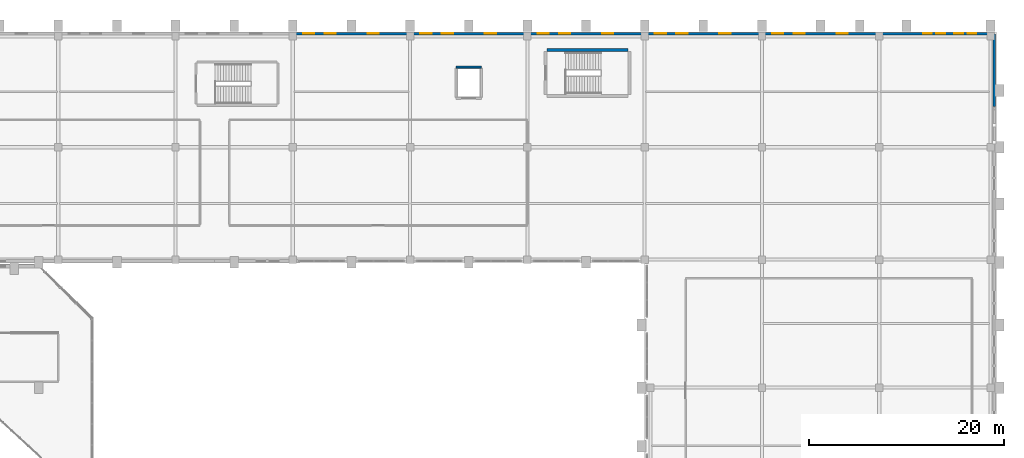
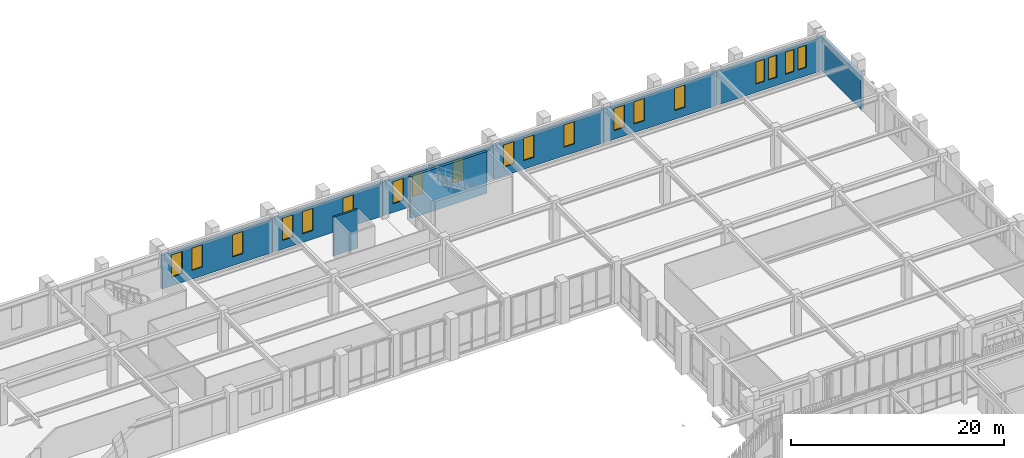
# One storey, part 103 of 126: 19 windows, 9 walls, 19 openings.
"""IFC4 building model written with IfcOpenShell, lengths in metres."""

from ifc_helpers import new_model, si_unit, derived_unit, direction, frame, frame_2d, origin, place, context, subcontext, project, spatial, rectangle, extrude, material, layer, layer_set, type_object, element, fill, save


model = new_model("IFC4")

# Units and contexts
model_context = context("Model", 3, precision=1e-05, world=origin(), true_north=direction((0.0, 1.0)))
body_context = subcontext(model_context, "Body", "Model", "MODEL_VIEW")
ifc_project = project(units=[si_unit("LENGTHUNIT", "METRE"), si_unit("AREAUNIT", "SQUARE_METRE"), si_unit("VOLUMEUNIT", "CUBIC_METRE"), si_unit("PLANEANGLEUNIT", "RADIAN"), si_unit("MASSUNIT", "GRAM", prefix="KILO"), derived_unit("THERMALTRANSMITTANCEUNIT", [(si_unit("MASSUNIT", "GRAM", prefix="KILO"), 1), (si_unit("TIMEUNIT", "SECOND"), -3), (si_unit("THERMODYNAMICTEMPERATUREUNIT", "KELVIN"), -1)])], contexts=[model_context])

# Site, building, storey
site_placement = place(None, origin())
site = spatial("IfcSite", under=ifc_project, at=site_placement, CompositionType="ELEMENT")
building_placement = place(site_placement, origin())
building = spatial("IfcBuilding", under=site, at=building_placement, Name="Valcora Ridge Arena", CompositionType="ELEMENT")
storey_placement = place(building_placement, frame((0.0, 0.0, 11.39990234375)))
storey = spatial("IfcBuildingStorey", under=building, at=storey_placement, Name="L02", CompositionType="ELEMENT", Elevation=11.39990234375)

# Wall, openings, windows
ifc_material_1 = material(Name="Bush-hammered Andean travertine on concrete backup C40/50", Category="masonry")
ifc_layer_1 = layer(ifc_material_1, 0.280029296875, Name="Bush-hammered Andean travertine on concrete backup C40/50")
ifc_layer_set_1 = layer_set([ifc_layer_1], Name="Bush-hammered Andean travertine on concrete backup C40/50")
wall_type_1 = type_object("IfcWallType", Name="TY-WALL-EW-TRV-28-38", PredefinedType="STANDARD", material=ifc_layer_set_1)
wall_1_placement = place(storey_placement, frame((120.0, 131.820068359375, 0.0), z_axis=(0.0, 0.0, 1.0), x_axis=(1.0, 0.0, 0.0)))
wall_1 = element("IfcWall", 1, at=wall_1_placement, inside=storey, type_object=wall_type_1, Name="EW-TRV-28-38 WAL-EW-0173", PredefinedType="STANDARD", context=body_context, shape_type="SweptSolid", body=[
    extrude(rectangle(XDim=12.0, YDim=0.280029296875, at=frame_2d((6.0, 0.0))), origin(), (0.0, 0.0, 1.0), 3.838134765625),
])
opening_1_placement = place(wall_1_placement, frame((1.050048828125, 0.0, 1.0)))
opening_1 = element("IfcOpeningElement", 2, at=opening_1_placement, cuts=wall_1, Name="Opening W-LAN-115X255", PredefinedType="OPENING", context=body_context, shape_type="SweptSolid", body=[
    extrude(rectangle(XDim=1.14990234375, YDim=2.550048828125, at=frame_2d((0.574951171875, 1.27490234375))), frame((0.0, 0.14990234375, 0.0), z_axis=(0.0, -1.0, 0.0), x_axis=(1.0, 0.0, 0.0)), (0.0, 0.0, 1.0), 0.300048828125),
])
opening_2_placement = place(wall_1_placement, frame((3.25, 0.0, 1.0)))
opening_2 = element("IfcOpeningElement", 3, at=opening_2_placement, cuts=wall_1, Name="Opening W-LAN-115X255", PredefinedType="OPENING", context=body_context, shape_type="SweptSolid", body=[
    extrude(rectangle(XDim=1.14990234375, YDim=2.550048828125, at=frame_2d((0.574951171875, 1.27490234375))), frame((0.0, 0.14990234375, 0.0), z_axis=(0.0, -1.0, 0.0), x_axis=(1.0, 0.0, 0.0)), (0.0, 0.0, 1.0), 0.300048828125),
])
opening_3_placement = place(wall_1_placement, frame((7.64990234375, 0.0, 1.0)))
opening_3 = element("IfcOpeningElement", 4, at=opening_3_placement, cuts=wall_1, Name="Opening W-LAN-115X255", PredefinedType="OPENING", context=body_context, shape_type="SweptSolid", body=[
    extrude(rectangle(XDim=1.14990234375, YDim=2.550048828125, at=frame_2d((0.574951171875, 1.27490234375))), frame((0.0, 0.14990234375, 0.0), z_axis=(0.0, -1.0, 0.0), x_axis=(1.0, 0.0, 0.0)), (0.0, 0.0, 1.0), 0.300048828125),
])
ifc_material_2 = material(Name="Low-iron solar-control double glazing SHGC 0.28", Category="glass")
window_type_1 = type_object("IfcWindowType", Name="TY-WINDOW-W-LAN-115X255", PartitioningType="DOUBLE_PANEL_VERTICAL", PredefinedType="WINDOW", material=ifc_material_2)
window_1_placement = place(opening_1_placement, origin())
window_1 = element("IfcWindow", 5, at=window_1_placement, inside=storey, type_object=window_type_1, Name="W-LAN-115X255 WIN-EX-0523", OverallHeight=2.550048828125, OverallWidth=1.14990234375, PartitioningType="DOUBLE_PANEL_VERTICAL", PredefinedType="WINDOW", context=body_context, shape_type="SweptSolid", body=[
    extrude(rectangle(XDim=1.14990234375, YDim=2.550048828125, at=frame_2d((0.574951171875, 1.27490234375))), frame((0.0, 0.030029296875, 0.0), z_axis=(0.0, -1.0, 0.0), x_axis=(1.0, 0.0, 0.0)), (0.0, 0.0, 1.0), 0.06005859375),
])
fill(opening_1, window_1)
window_2_placement = place(opening_2_placement, origin())
window_2 = element("IfcWindow", 6, at=window_2_placement, inside=storey, type_object=window_type_1, Name="W-LAN-115X255 WIN-EX-0524", OverallHeight=2.550048828125, OverallWidth=1.14990234375, PartitioningType="DOUBLE_PANEL_VERTICAL", PredefinedType="WINDOW", context=body_context, shape_type="SweptSolid", body=[
    extrude(rectangle(XDim=1.14990234375, YDim=2.550048828125, at=frame_2d((0.574951171875, 1.27490234375))), frame((0.0, 0.030029296875, 0.0), z_axis=(0.0, -1.0, 0.0), x_axis=(1.0, 0.0, 0.0)), (0.0, 0.0, 1.0), 0.06005859375),
])
fill(opening_2, window_2)
window_3_placement = place(opening_3_placement, origin())
window_3 = element("IfcWindow", 7, at=window_3_placement, inside=storey, type_object=window_type_1, Name="W-LAN-115X255 WIN-EX-0525", OverallHeight=2.550048828125, OverallWidth=1.14990234375, PartitioningType="DOUBLE_PANEL_VERTICAL", PredefinedType="WINDOW", context=body_context, shape_type="SweptSolid", body=[
    extrude(rectangle(XDim=1.14990234375, YDim=2.550048828125, at=frame_2d((0.574951171875, 1.27490234375))), frame((0.0, 0.030029296875, 0.0), z_axis=(0.0, -1.0, 0.0), x_axis=(1.0, 0.0, 0.0)), (0.0, 0.0, 1.0), 0.06005859375),
])
fill(opening_3, window_3)

wall_2_placement = place(storey_placement, frame((132.0, 131.820068359375, 0.0), z_axis=(0.0, 0.0, 1.0), x_axis=(1.0, 0.0, 0.0)))
wall_2 = element("IfcWall", 8, at=wall_2_placement, inside=storey, type_object=wall_type_1, Name="EW-TRV-28-38 WAL-EW-0174", PredefinedType="STANDARD", context=body_context, shape_type="SweptSolid", body=[
    extrude(rectangle(XDim=12.0, YDim=0.280029296875, at=frame_2d((6.0, 0.0))), origin(), (0.0, 0.0, 1.0), 3.838134765625),
])
opening_4_placement = place(wall_2_placement, frame((1.050048828125, 0.0, 1.0)))
opening_4 = element("IfcOpeningElement", 9, at=opening_4_placement, cuts=wall_2, Name="Opening W-LAN-115X255", PredefinedType="OPENING", context=body_context, shape_type="SweptSolid", body=[
    extrude(rectangle(XDim=1.14990234375, YDim=2.550048828125, at=frame_2d((0.574951171875, 1.27490234375))), frame((0.0, 0.14990234375, 0.0), z_axis=(0.0, -1.0, 0.0), x_axis=(1.0, 0.0, 0.0)), (0.0, 0.0, 1.0), 0.300048828125),
])
opening_5_placement = place(wall_2_placement, frame((3.25, 0.0, 1.0)))
opening_5 = element("IfcOpeningElement", 10, at=opening_5_placement, cuts=wall_2, Name="Opening W-LAN-115X255", PredefinedType="OPENING", context=body_context, shape_type="SweptSolid", body=[
    extrude(rectangle(XDim=1.14990234375, YDim=2.550048828125, at=frame_2d((0.574951171875, 1.27490234375))), frame((0.0, 0.14990234375, 0.0), z_axis=(0.0, -1.0, 0.0), x_axis=(1.0, 0.0, 0.0)), (0.0, 0.0, 1.0), 0.300048828125),
])
opening_6_placement = place(wall_2_placement, frame((7.64990234375, 0.0, 1.0)))
opening_6 = element("IfcOpeningElement", 11, at=opening_6_placement, cuts=wall_2, Name="Opening W-LAN-115X255", PredefinedType="OPENING", context=body_context, shape_type="SweptSolid", body=[
    extrude(rectangle(XDim=1.14990234375, YDim=2.550048828125, at=frame_2d((0.574951171875, 1.27490234375))), frame((0.0, 0.14990234375, 0.0), z_axis=(0.0, -1.0, 0.0), x_axis=(1.0, 0.0, 0.0)), (0.0, 0.0, 1.0), 0.300048828125),
])
window_4_placement = place(opening_4_placement, origin())
window_4 = element("IfcWindow", 12, at=window_4_placement, inside=storey, type_object=window_type_1, Name="W-LAN-115X255 WIN-EX-0526", OverallHeight=2.550048828125, OverallWidth=1.14990234375, PartitioningType="DOUBLE_PANEL_VERTICAL", PredefinedType="WINDOW", context=body_context, shape_type="SweptSolid", body=[
    extrude(rectangle(XDim=1.14990234375, YDim=2.550048828125, at=frame_2d((0.574951171875, 1.27490234375))), frame((0.0, 0.030029296875, 0.0), z_axis=(0.0, -1.0, 0.0), x_axis=(1.0, 0.0, 0.0)), (0.0, 0.0, 1.0), 0.06005859375),
])
fill(opening_4, window_4)
window_5_placement = place(opening_5_placement, origin())
window_5 = element("IfcWindow", 13, at=window_5_placement, inside=storey, type_object=window_type_1, Name="W-LAN-115X255 WIN-EX-0527", OverallHeight=2.550048828125, OverallWidth=1.14990234375, PartitioningType="DOUBLE_PANEL_VERTICAL", PredefinedType="WINDOW", context=body_context, shape_type="SweptSolid", body=[
    extrude(rectangle(XDim=1.14990234375, YDim=2.550048828125, at=frame_2d((0.574951171875, 1.27490234375))), frame((0.0, 0.030029296875, 0.0), z_axis=(0.0, -1.0, 0.0), x_axis=(1.0, 0.0, 0.0)), (0.0, 0.0, 1.0), 0.06005859375),
])
fill(opening_5, window_5)
window_6_placement = place(opening_6_placement, origin())
window_6 = element("IfcWindow", 14, at=window_6_placement, inside=storey, type_object=window_type_1, Name="W-LAN-115X255 WIN-EX-0528", OverallHeight=2.550048828125, OverallWidth=1.14990234375, PartitioningType="DOUBLE_PANEL_VERTICAL", PredefinedType="WINDOW", context=body_context, shape_type="SweptSolid", body=[
    extrude(rectangle(XDim=1.14990234375, YDim=2.550048828125, at=frame_2d((0.574951171875, 1.27490234375))), frame((0.0, 0.030029296875, 0.0), z_axis=(0.0, -1.0, 0.0), x_axis=(1.0, 0.0, 0.0)), (0.0, 0.0, 1.0), 0.06005859375),
])
fill(opening_6, window_6)

wall_3_placement = place(storey_placement, frame((144.0, 131.820068359375, 0.0), z_axis=(0.0, 0.0, 1.0), x_axis=(1.0, 0.0, 0.0)))
wall_3 = element("IfcWall", 15, at=wall_3_placement, inside=storey, type_object=wall_type_1, Name="EW-TRV-28-38 WAL-EW-0175", PredefinedType="STANDARD", context=body_context, shape_type="SweptSolid", body=[
    extrude(rectangle(XDim=12.0, YDim=0.280029296875, at=frame_2d((6.0, 0.0))), origin(), (0.0, 0.0, 1.0), 3.838134765625),
])
opening_7_placement = place(wall_3_placement, frame((1.050048828125, 0.0, 1.0)))
opening_7 = element("IfcOpeningElement", 16, at=opening_7_placement, cuts=wall_3, Name="Opening W-LAN-115X255", PredefinedType="OPENING", context=body_context, shape_type="SweptSolid", body=[
    extrude(rectangle(XDim=1.14990234375, YDim=2.550048828125, at=frame_2d((0.574951171875, 1.27490234375))), frame((0.0, 0.14990234375, 0.0), z_axis=(0.0, -1.0, 0.0), x_axis=(1.0, 0.0, 0.0)), (0.0, 0.0, 1.0), 0.300048828125),
])
opening_8_placement = place(wall_3_placement, frame((3.25, 0.0, 1.0)))
opening_8 = element("IfcOpeningElement", 17, at=opening_8_placement, cuts=wall_3, Name="Opening W-LAN-115X255", PredefinedType="OPENING", context=body_context, shape_type="SweptSolid", body=[
    extrude(rectangle(XDim=1.14990234375, YDim=2.550048828125, at=frame_2d((0.574951171875, 1.27490234375))), frame((0.0, 0.14990234375, 0.0), z_axis=(0.0, -1.0, 0.0), x_axis=(1.0, 0.0, 0.0)), (0.0, 0.0, 1.0), 0.300048828125),
])
opening_9_placement = place(wall_3_placement, frame((7.64990234375, 0.0, 1.0)))
opening_9 = element("IfcOpeningElement", 18, at=opening_9_placement, cuts=wall_3, Name="Opening W-LAN-115X255", PredefinedType="OPENING", context=body_context, shape_type="SweptSolid", body=[
    extrude(rectangle(XDim=1.14990234375, YDim=2.550048828125, at=frame_2d((0.574951171875, 1.27490234375))), frame((0.0, 0.14990234375, 0.0), z_axis=(0.0, -1.0, 0.0), x_axis=(1.0, 0.0, 0.0)), (0.0, 0.0, 1.0), 0.300048828125),
])
window_7_placement = place(opening_7_placement, origin())
window_7 = element("IfcWindow", 19, at=window_7_placement, inside=storey, type_object=window_type_1, Name="W-LAN-115X255 WIN-EX-0529", OverallHeight=2.550048828125, OverallWidth=1.14990234375, PartitioningType="DOUBLE_PANEL_VERTICAL", PredefinedType="WINDOW", context=body_context, shape_type="SweptSolid", body=[
    extrude(rectangle(XDim=1.14990234375, YDim=2.550048828125, at=frame_2d((0.574951171875, 1.27490234375))), frame((0.0, 0.030029296875, 0.0), z_axis=(0.0, -1.0, 0.0), x_axis=(1.0, 0.0, 0.0)), (0.0, 0.0, 1.0), 0.06005859375),
])
fill(opening_7, window_7)
window_8_placement = place(opening_8_placement, origin())
window_8 = element("IfcWindow", 20, at=window_8_placement, inside=storey, type_object=window_type_1, Name="W-LAN-115X255 WIN-EX-0530", OverallHeight=2.550048828125, OverallWidth=1.14990234375, PartitioningType="DOUBLE_PANEL_VERTICAL", PredefinedType="WINDOW", context=body_context, shape_type="SweptSolid", body=[
    extrude(rectangle(XDim=1.14990234375, YDim=2.550048828125, at=frame_2d((0.574951171875, 1.27490234375))), frame((0.0, 0.030029296875, 0.0), z_axis=(0.0, -1.0, 0.0), x_axis=(1.0, 0.0, 0.0)), (0.0, 0.0, 1.0), 0.06005859375),
])
fill(opening_8, window_8)
window_9_placement = place(opening_9_placement, origin())
window_9 = element("IfcWindow", 21, at=window_9_placement, inside=storey, type_object=window_type_1, Name="W-LAN-115X255 WIN-EX-0531", OverallHeight=2.550048828125, OverallWidth=1.14990234375, PartitioningType="DOUBLE_PANEL_VERTICAL", PredefinedType="WINDOW", context=body_context, shape_type="SweptSolid", body=[
    extrude(rectangle(XDim=1.14990234375, YDim=2.550048828125, at=frame_2d((0.574951171875, 1.27490234375))), frame((0.0, 0.030029296875, 0.0), z_axis=(0.0, -1.0, 0.0), x_axis=(1.0, 0.0, 0.0)), (0.0, 0.0, 1.0), 0.06005859375),
])
fill(opening_9, window_9)

wall_4_placement = place(storey_placement, frame((156.0, 131.820068359375, 0.0), z_axis=(0.0, 0.0, 1.0), x_axis=(1.0, 0.0, 0.0)))
wall_4 = element("IfcWall", 22, at=wall_4_placement, inside=storey, type_object=wall_type_1, Name="EW-TRV-28-38 WAL-EW-0176", PredefinedType="STANDARD", context=body_context, shape_type="SweptSolid", body=[
    extrude(rectangle(XDim=12.0, YDim=0.280029296875, at=frame_2d((6.0, 0.0))), origin(), (0.0, 0.0, 1.0), 3.838134765625),
])
opening_10_placement = place(wall_4_placement, frame((1.050048828125, 0.0, 1.0)))
opening_10 = element("IfcOpeningElement", 23, at=opening_10_placement, cuts=wall_4, Name="Opening W-LAN-115X255", PredefinedType="OPENING", context=body_context, shape_type="SweptSolid", body=[
    extrude(rectangle(XDim=1.14990234375, YDim=2.550048828125, at=frame_2d((0.574951171875, 1.27490234375))), frame((0.0, 0.14990234375, 0.0), z_axis=(0.0, -1.0, 0.0), x_axis=(1.0, 0.0, 0.0)), (0.0, 0.0, 1.0), 0.300048828125),
])
opening_11_placement = place(wall_4_placement, frame((3.25, 0.0, 1.0)))
opening_11 = element("IfcOpeningElement", 24, at=opening_11_placement, cuts=wall_4, Name="Opening W-LAN-115X255", PredefinedType="OPENING", context=body_context, shape_type="SweptSolid", body=[
    extrude(rectangle(XDim=1.14990234375, YDim=2.550048828125, at=frame_2d((0.574951171875, 1.27490234375))), frame((0.0, 0.14990234375, 0.0), z_axis=(0.0, -1.0, 0.0), x_axis=(1.0, 0.0, 0.0)), (0.0, 0.0, 1.0), 0.300048828125),
])
opening_12_placement = place(wall_4_placement, frame((7.64990234375, 0.0, 1.0)))
opening_12 = element("IfcOpeningElement", 25, at=opening_12_placement, cuts=wall_4, Name="Opening W-LAN-115X255", PredefinedType="OPENING", context=body_context, shape_type="SweptSolid", body=[
    extrude(rectangle(XDim=1.14990234375, YDim=2.550048828125, at=frame_2d((0.574951171875, 1.27490234375))), frame((0.0, 0.14990234375, 0.0), z_axis=(0.0, -1.0, 0.0), x_axis=(1.0, 0.0, 0.0)), (0.0, 0.0, 1.0), 0.300048828125),
])
window_10_placement = place(opening_10_placement, origin())
window_10 = element("IfcWindow", 26, at=window_10_placement, inside=storey, type_object=window_type_1, Name="W-LAN-115X255 WIN-EX-0532", OverallHeight=2.550048828125, OverallWidth=1.14990234375, PartitioningType="DOUBLE_PANEL_VERTICAL", PredefinedType="WINDOW", context=body_context, shape_type="SweptSolid", body=[
    extrude(rectangle(XDim=1.14990234375, YDim=2.550048828125, at=frame_2d((0.574951171875, 1.27490234375))), frame((0.0, 0.030029296875, 0.0), z_axis=(0.0, -1.0, 0.0), x_axis=(1.0, 0.0, 0.0)), (0.0, 0.0, 1.0), 0.06005859375),
])
fill(opening_10, window_10)
window_11_placement = place(opening_11_placement, origin())
window_11 = element("IfcWindow", 27, at=window_11_placement, inside=storey, type_object=window_type_1, Name="W-LAN-115X255 WIN-EX-0533", OverallHeight=2.550048828125, OverallWidth=1.14990234375, PartitioningType="DOUBLE_PANEL_VERTICAL", PredefinedType="WINDOW", context=body_context, shape_type="SweptSolid", body=[
    extrude(rectangle(XDim=1.14990234375, YDim=2.550048828125, at=frame_2d((0.574951171875, 1.27490234375))), frame((0.0, 0.030029296875, 0.0), z_axis=(0.0, -1.0, 0.0), x_axis=(1.0, 0.0, 0.0)), (0.0, 0.0, 1.0), 0.06005859375),
])
fill(opening_11, window_11)
window_12_placement = place(opening_12_placement, origin())
window_12 = element("IfcWindow", 28, at=window_12_placement, inside=storey, type_object=window_type_1, Name="W-LAN-115X255 WIN-EX-0534", OverallHeight=2.550048828125, OverallWidth=1.14990234375, PartitioningType="DOUBLE_PANEL_VERTICAL", PredefinedType="WINDOW", context=body_context, shape_type="SweptSolid", body=[
    extrude(rectangle(XDim=1.14990234375, YDim=2.550048828125, at=frame_2d((0.574951171875, 1.27490234375))), frame((0.0, 0.030029296875, 0.0), z_axis=(0.0, -1.0, 0.0), x_axis=(1.0, 0.0, 0.0)), (0.0, 0.0, 1.0), 0.06005859375),
])
fill(opening_12, window_12)

wall_5_placement = place(storey_placement, frame((168.0, 131.820068359375, 0.0), z_axis=(0.0, 0.0, 1.0), x_axis=(1.0, 0.0, 0.0)))
wall_5 = element("IfcWall", 29, at=wall_5_placement, inside=storey, type_object=wall_type_1, Name="EW-TRV-28-38 WAL-EW-0177", PredefinedType="STANDARD", context=body_context, shape_type="SweptSolid", body=[
    extrude(rectangle(XDim=12.199951171875, YDim=0.280029296875, at=frame_2d((6.10009765625, 0.0))), origin(), (0.0, 0.0, 1.0), 3.838134765625),
])
opening_13_placement = place(wall_5_placement, frame((1.050048828125, 0.0, 1.0)))
opening_13 = element("IfcOpeningElement", 30, at=opening_13_placement, cuts=wall_5, Name="Opening W-LAN-115X255", PredefinedType="OPENING", context=body_context, shape_type="SweptSolid", body=[
    extrude(rectangle(XDim=1.14990234375, YDim=2.550048828125, at=frame_2d((0.574951171875, 1.27490234375))), frame((0.0, 0.14990234375, 0.0), z_axis=(0.0, -1.0, 0.0), x_axis=(1.0, 0.0, 0.0)), (0.0, 0.0, 1.0), 0.300048828125),
])
opening_14_placement = place(wall_5_placement, frame((3.25, 0.0, 1.0)))
opening_14 = element("IfcOpeningElement", 31, at=opening_14_placement, cuts=wall_5, Name="Opening W-LAN-115X255", PredefinedType="OPENING", context=body_context, shape_type="SweptSolid", body=[
    extrude(rectangle(XDim=1.14990234375, YDim=2.550048828125, at=frame_2d((0.574951171875, 1.27490234375))), frame((0.0, 0.14990234375, 0.0), z_axis=(0.0, -1.0, 0.0), x_axis=(1.0, 0.0, 0.0)), (0.0, 0.0, 1.0), 0.300048828125),
])
opening_15_placement = place(wall_5_placement, frame((7.64990234375, 0.0, 1.0)))
opening_15 = element("IfcOpeningElement", 32, at=opening_15_placement, cuts=wall_5, Name="Opening W-LAN-115X255", PredefinedType="OPENING", context=body_context, shape_type="SweptSolid", body=[
    extrude(rectangle(XDim=1.14990234375, YDim=2.550048828125, at=frame_2d((0.574951171875, 1.27490234375))), frame((0.0, 0.14990234375, 0.0), z_axis=(0.0, -1.0, 0.0), x_axis=(1.0, 0.0, 0.0)), (0.0, 0.0, 1.0), 0.300048828125),
])
window_13_placement = place(opening_13_placement, origin())
window_13 = element("IfcWindow", 33, at=window_13_placement, inside=storey, type_object=window_type_1, Name="W-LAN-115X255 WIN-EX-0535", OverallHeight=2.550048828125, OverallWidth=1.14990234375, PartitioningType="DOUBLE_PANEL_VERTICAL", PredefinedType="WINDOW", context=body_context, shape_type="SweptSolid", body=[
    extrude(rectangle(XDim=1.14990234375, YDim=2.550048828125, at=frame_2d((0.574951171875, 1.27490234375))), frame((0.0, 0.030029296875, 0.0), z_axis=(0.0, -1.0, 0.0), x_axis=(1.0, 0.0, 0.0)), (0.0, 0.0, 1.0), 0.06005859375),
])
fill(opening_13, window_13)
window_14_placement = place(opening_14_placement, origin())
window_14 = element("IfcWindow", 34, at=window_14_placement, inside=storey, type_object=window_type_1, Name="W-LAN-115X255 WIN-EX-0536", OverallHeight=2.550048828125, OverallWidth=1.14990234375, PartitioningType="DOUBLE_PANEL_VERTICAL", PredefinedType="WINDOW", context=body_context, shape_type="SweptSolid", body=[
    extrude(rectangle(XDim=1.14990234375, YDim=2.550048828125, at=frame_2d((0.574951171875, 1.27490234375))), frame((0.0, 0.030029296875, 0.0), z_axis=(0.0, -1.0, 0.0), x_axis=(1.0, 0.0, 0.0)), (0.0, 0.0, 1.0), 0.06005859375),
])
fill(opening_14, window_14)
window_15_placement = place(opening_15_placement, origin())
window_15 = element("IfcWindow", 35, at=window_15_placement, inside=storey, type_object=window_type_1, Name="W-LAN-115X255 WIN-EX-0537", OverallHeight=2.550048828125, OverallWidth=1.14990234375, PartitioningType="DOUBLE_PANEL_VERTICAL", PredefinedType="WINDOW", context=body_context, shape_type="SweptSolid", body=[
    extrude(rectangle(XDim=1.14990234375, YDim=2.550048828125, at=frame_2d((0.574951171875, 1.27490234375))), frame((0.0, 0.030029296875, 0.0), z_axis=(0.0, -1.0, 0.0), x_axis=(1.0, 0.0, 0.0)), (0.0, 0.0, 1.0), 0.06005859375),
])
fill(opening_15, window_15)

wall_6_placement = place(storey_placement, frame((180.199951171875, 131.820068359375, 0.0), z_axis=(0.0, 0.0, 1.0), x_axis=(1.0, 0.0, 0.0)))
wall_6 = element("IfcWall", 36, at=wall_6_placement, inside=storey, type_object=wall_type_1, Name="EW-TRV-28-38 WAL-EW-0178", PredefinedType="STANDARD", context=body_context, shape_type="SweptSolid", body=[
    extrude(rectangle(XDim=11.580078125, YDim=0.280029296875, at=frame_2d((5.7900390625, 0.0))), origin(), (0.0, 0.0, 1.0), 3.838134765625),
])
opening_16_placement = place(wall_6_placement, frame((4.300048828125, 0.0, 0.949951171875)))
opening_16 = element("IfcOpeningElement", 37, at=opening_16_placement, cuts=wall_6, Name="Opening W-GLAN-90X254", PredefinedType="OPENING", context=body_context, shape_type="SweptSolid", body=[
    extrude(rectangle(XDim=0.89990234375, YDim=2.5400390625, at=frame_2d((0.449951171875, 1.27001953125))), frame((0.0, 0.14990234375, 0.0), z_axis=(0.0, -1.0, 0.0), x_axis=(1.0, 0.0, 0.0)), (0.0, 0.0, 1.0), 0.300048828125),
])
opening_17_placement = place(wall_6_placement, frame((5.64990234375, 0.0, 0.949951171875)))
opening_17 = element("IfcOpeningElement", 38, at=opening_17_placement, cuts=wall_6, Name="Opening W-GLAN-90X254", PredefinedType="OPENING", context=body_context, shape_type="SweptSolid", body=[
    extrude(rectangle(XDim=0.89990234375, YDim=2.5400390625, at=frame_2d((0.449951171875, 1.27001953125))), frame((0.0, 0.14990234375, 0.0), z_axis=(0.0, -1.0, 0.0), x_axis=(1.0, 0.0, 0.0)), (0.0, 0.0, 1.0), 0.300048828125),
])
opening_18_placement = place(wall_6_placement, frame((7.5, 0.0, 0.949951171875)))
opening_18 = element("IfcOpeningElement", 39, at=opening_18_placement, cuts=wall_6, Name="Opening W-GLAN-90X254", PredefinedType="OPENING", context=body_context, shape_type="SweptSolid", body=[
    extrude(rectangle(XDim=0.89990234375, YDim=2.5400390625, at=frame_2d((0.449951171875, 1.27001953125))), frame((0.0, 0.14990234375, 0.0), z_axis=(0.0, -1.0, 0.0), x_axis=(1.0, 0.0, 0.0)), (0.0, 0.0, 1.0), 0.300048828125),
])
opening_19_placement = place(wall_6_placement, frame((8.85009765625, 0.0, 0.949951171875)))
opening_19 = element("IfcOpeningElement", 40, at=opening_19_placement, cuts=wall_6, Name="Opening W-GLAN-90X254", PredefinedType="OPENING", context=body_context, shape_type="SweptSolid", body=[
    extrude(rectangle(XDim=0.89990234375, YDim=2.5400390625, at=frame_2d((0.449951171875, 1.27001953125))), frame((0.0, 0.14990234375, 0.0), z_axis=(0.0, -1.0, 0.0), x_axis=(1.0, 0.0, 0.0)), (0.0, 0.0, 1.0), 0.300048828125),
])
window_type_2 = type_object("IfcWindowType", Name="TY-WINDOW-W-GLAN-90X254", PartitioningType="DOUBLE_PANEL_VERTICAL", PredefinedType="WINDOW", material=ifc_material_2)
window_16_placement = place(opening_16_placement, origin())
window_16 = element("IfcWindow", 41, at=window_16_placement, inside=storey, type_object=window_type_2, Name="W-GLAN-90X254 WIN-EX-0538", OverallHeight=2.5400390625, OverallWidth=0.89990234375, PartitioningType="DOUBLE_PANEL_VERTICAL", PredefinedType="WINDOW", context=body_context, shape_type="SweptSolid", body=[
    extrude(rectangle(XDim=0.89990234375, YDim=2.5400390625, at=frame_2d((0.449951171875, 1.27001953125))), frame((0.0, 0.030029296875, 0.0), z_axis=(0.0, -1.0, 0.0), x_axis=(1.0, 0.0, 0.0)), (0.0, 0.0, 1.0), 0.06005859375),
])
fill(opening_16, window_16)
window_17_placement = place(opening_17_placement, origin())
window_17 = element("IfcWindow", 42, at=window_17_placement, inside=storey, type_object=window_type_2, Name="W-GLAN-90X254 WIN-EX-0539", OverallHeight=2.5400390625, OverallWidth=0.89990234375, PartitioningType="DOUBLE_PANEL_VERTICAL", PredefinedType="WINDOW", context=body_context, shape_type="SweptSolid", body=[
    extrude(rectangle(XDim=0.89990234375, YDim=2.5400390625, at=frame_2d((0.449951171875, 1.27001953125))), frame((0.0, 0.030029296875, 0.0), z_axis=(0.0, -1.0, 0.0), x_axis=(1.0, 0.0, 0.0)), (0.0, 0.0, 1.0), 0.06005859375),
])
fill(opening_17, window_17)
window_18_placement = place(opening_18_placement, origin())
window_18 = element("IfcWindow", 43, at=window_18_placement, inside=storey, type_object=window_type_2, Name="W-GLAN-90X254 WIN-EX-0540", OverallHeight=2.5400390625, OverallWidth=0.89990234375, PartitioningType="DOUBLE_PANEL_VERTICAL", PredefinedType="WINDOW", context=body_context, shape_type="SweptSolid", body=[
    extrude(rectangle(XDim=0.89990234375, YDim=2.5400390625, at=frame_2d((0.449951171875, 1.27001953125))), frame((0.0, 0.030029296875, 0.0), z_axis=(0.0, -1.0, 0.0), x_axis=(1.0, 0.0, 0.0)), (0.0, 0.0, 1.0), 0.06005859375),
])
fill(opening_18, window_18)
window_19_placement = place(opening_19_placement, origin())
window_19 = element("IfcWindow", 44, at=window_19_placement, inside=storey, type_object=window_type_2, Name="W-GLAN-90X254 WIN-EX-0541", OverallHeight=2.5400390625, OverallWidth=0.89990234375, PartitioningType="DOUBLE_PANEL_VERTICAL", PredefinedType="WINDOW", context=body_context, shape_type="SweptSolid", body=[
    extrude(rectangle(XDim=0.89990234375, YDim=2.5400390625, at=frame_2d((0.449951171875, 1.27001953125))), frame((0.0, 0.030029296875, 0.0), z_axis=(0.0, -1.0, 0.0), x_axis=(1.0, 0.0, 0.0)), (0.0, 0.0, 1.0), 0.06005859375),
])
fill(opening_19, window_19)

# Walls
wall_7_placement = place(storey_placement, frame((191.780029296875, 124.35009765625, 0.0), z_axis=(0.0, 0.0, 1.0), x_axis=(0.0, 1.0, 0.0)))
element("IfcWall", 45, at=wall_7_placement, inside=storey, type_object=wall_type_1, Name="EW-TRV-28-38 WAL-EW-0183", PredefinedType="STANDARD", context=body_context, shape_type="SweptSolid", body=[
    extrude(rectangle(XDim=7.449951171875, YDim=0.280029296875, at=frame_2d((3.72509765625, 0.0))), origin(), (0.0, 0.0, 1.0), 3.838134765625),
])
ifc_material_3 = material(Name="Concrete C40/50", Category="concrete")
ifc_layer_2 = layer(ifc_material_3, 0.199951171875, Name="Concrete C40/50")
ifc_layer_set_2 = layer_set([ifc_layer_2], Name="Concrete C40/50")
wall_type_2 = type_object("IfcWallType", Name="TY-WALL-IW-SHF-200", PredefinedType="STANDARD", material=ifc_layer_set_2)
wall_8_placement = place(storey_placement, frame((136.699951171875, 128.39990234375, 0.0), z_axis=(0.0, 0.0, 1.0), x_axis=(1.0, 0.0, 0.0)))
element("IfcWall", 46, at=wall_8_placement, inside=storey, type_object=wall_type_2, Name="IW-SHF-200 WAL-SH-0278", PredefinedType="STANDARD", context=body_context, shape_type="SweptSolid", body=[
    extrude(rectangle(XDim=2.60009765625, YDim=0.199951171875, at=frame_2d((1.300048828125, 0.0))), origin(), (0.0, 0.0, 1.0), 4.4501953125),
])
ifc_material_4 = material(Name="Concrete C45/55", Category="concrete")
ifc_layer_3 = layer(ifc_material_4, 0.300048828125, Name="Concrete C45/55")
ifc_layer_set_3 = layer_set([ifc_layer_3], Name="Concrete C45/55")
wall_type_3 = type_object("IfcWallType", Name="TY-WALL-SW-C300-L", PredefinedType="SHEAR", material=ifc_layer_set_3)
wall_9_placement = place(storey_placement, frame((146.0, 130.14990234375, 0.0), z_axis=(0.0, 0.0, 1.0), x_axis=(1.0, 0.0, 0.0)))
element("IfcWall", 47, at=wall_9_placement, inside=storey, type_object=wall_type_3, Name="SW-C300-L WAL-CR-0210", PredefinedType="SHEAR", context=body_context, shape_type="SweptSolid", body=[
    extrude(rectangle(XDim=8.320068359375, YDim=0.300048828125, at=frame_2d((4.16015625, 0.0))), origin(), (0.0, 0.0, 1.0), 4.800048828125),
])

save(model, "model.ifc")
